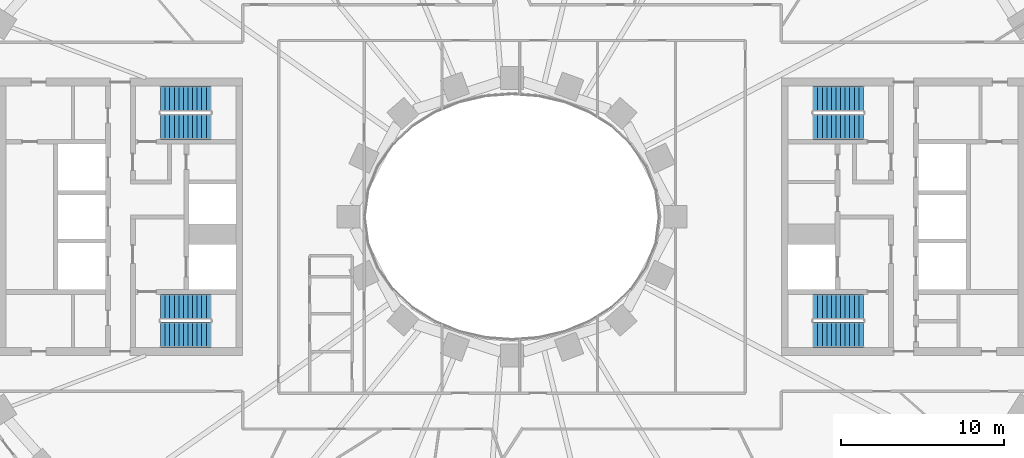
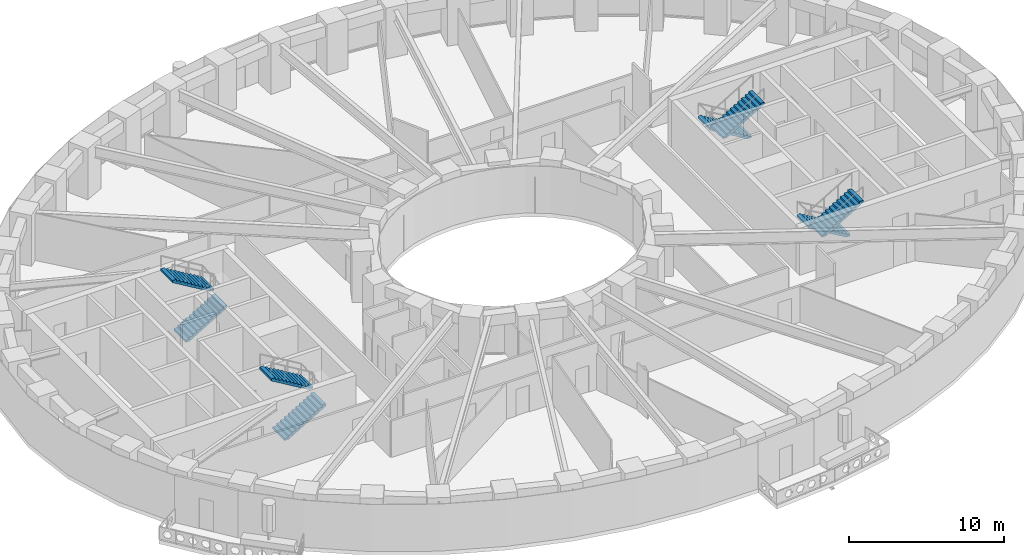
# One storey, part 7 of 16: 8 stair flights, 4 elements without a shape of their own.
"""IFC4 building model written with IfcOpenShell, lengths in metres."""

from ifc_helpers import new_model, si_unit, direction, frame, origin, place, context, subcontext, project, spatial, polyline, outline, extrude, material, type_object, element, aggregate, save


model = new_model("IFC4")

# Units and contexts
model_context = context("Model", 3, precision=1e-05, world=origin(), true_north=direction((0.0, 1.0)))
body_context = subcontext(model_context, "Body", "Model", "MODEL_VIEW")
ifc_project = project(units=[si_unit("LENGTHUNIT", "METRE"), si_unit("AREAUNIT", "SQUARE_METRE"), si_unit("VOLUMEUNIT", "CUBIC_METRE"), si_unit("PLANEANGLEUNIT", "RADIAN"), si_unit("MASSUNIT", "GRAM", prefix="KILO")], contexts=[model_context])

# Site, building, storey
site_placement = place(None, origin())
site = spatial("IfcSite", under=ifc_project, at=site_placement, CompositionType="ELEMENT")
building_placement = place(site_placement, origin())
building = spatial("IfcBuilding", under=site, at=building_placement, Name="Noorbagh Ring Tower", CompositionType="ELEMENT")
storey_placement = place(building_placement, frame((0.0, 0.0, 54.5)))
storey = spatial("IfcBuildingStorey", under=building, at=storey_placement, Name="L11", CompositionType="ELEMENT", Elevation=54.5)

# Stair, stair flights
ifc_material_1 = material(Name="Concrete C40/50", Category="concrete")
stair_type = type_object("IfcStairType", Name="CORE-STAIR", PredefinedType="HALF_TURN_STAIR", material=ifc_material_1)
stair_1_placement = place(storey_placement, origin())
stair_1 = element("IfcStair", 1, at=stair_1_placement, inside=storey, type_object=stair_type, Name="L11 Exit stair ST1", PredefinedType="HALF_TURN_STAIR")
ifc_material_2 = material(Name="Concrete C40/50", Category="concrete")
stair_flight_type = type_object("IfcStairFlightType", Name="CORE-STAIR-FLIGHT", PredefinedType="STRAIGHT", material=ifc_material_2)
stair_flight_1_placement = place(storey_placement, frame((-21.530029296875, 5.52490234375, 0.0), z_axis=(0.0, 0.0, 1.0), x_axis=(1.0, 0.0, 0.0)))
stair_flight_1 = element("IfcStairFlight", 2, at=stair_flight_1_placement, type_object=stair_flight_type, Name="ST1 flight 1", NumberOfRisers=12, NumberOfTreads=11, PredefinedType="STRAIGHT", RiserHeight=0.166666667, TreadLength=0.28, context=body_context, shape_type="SweptSolid", body=[
    extrude(outline(polyline([(0.0, 0.0), (0.0, 0.166748046875), (0.280029296875, 0.166748046875), (0.280029296875, 0.333251953125), (0.56005859375, 0.333251953125), (0.56005859375, 0.5), (0.840087890625, 0.5), (0.840087890625, 0.666748046875), (1.1201171875, 0.666748046875), (1.1201171875, 0.833251953125), (1.39990234375, 0.833251953125), (1.39990234375, 1.0), (1.679931640625, 1.0), (1.679931640625, 1.166748046875), (1.9599609375, 1.166748046875), (1.9599609375, 1.333251953125), (2.239990234375, 1.333251953125), (2.239990234375, 1.5), (2.52001953125, 1.5), (2.52001953125, 1.666748046875), (2.800048828125, 1.666748046875), (2.800048828125, 1.833251953125), (3.080078125, 1.833251953125), (3.080078125, 2.0), (3.080078125, 1.658935546875), (0.29296875, 0.0), (0.0, 0.0)])), frame((0.0, 0.77490234375, 0.0), z_axis=(0.0, -1.0, 0.0), x_axis=(1.0, 0.0, 0.0)), (0.0, 0.0, 1.0), 1.550048828125),
])
stair_flight_2_placement = place(storey_placement, frame((-18.449951171875, 7.22509765625, 2.0), z_axis=(0.0, 0.0, 1.0), x_axis=(-1.0, 0.0, 0.0)))
stair_flight_2 = element("IfcStairFlight", 3, at=stair_flight_2_placement, type_object=stair_flight_type, Name="ST1 flight 2", NumberOfRisers=12, NumberOfTreads=11, PredefinedType="STRAIGHT", RiserHeight=0.166666667, TreadLength=0.28, context=body_context, shape_type="SweptSolid", body=[
    extrude(outline(polyline([(0.0, 0.0), (0.0, 0.166748046875), (0.280029296875, 0.166748046875), (0.280029296875, 0.333251953125), (0.56005859375, 0.333251953125), (0.56005859375, 0.5), (0.840087890625, 0.5), (0.840087890625, 0.666748046875), (1.1201171875, 0.666748046875), (1.1201171875, 0.833251953125), (1.39990234375, 0.833251953125), (1.39990234375, 1.0), (1.679931640625, 1.0), (1.679931640625, 1.166748046875), (1.9599609375, 1.166748046875), (1.9599609375, 1.333251953125), (2.239990234375, 1.333251953125), (2.239990234375, 1.5), (2.52001953125, 1.5), (2.52001953125, 1.666748046875), (2.800048828125, 1.666748046875), (2.800048828125, 1.833251953125), (3.080078125, 1.833251953125), (3.080078125, 2.0), (3.080078125, 1.658935546875), (0.29296875, 0.0), (0.0, 0.0)])), frame((0.0, 0.77490234375, 0.0), z_axis=(0.0, -1.0, 0.0), x_axis=(1.0, 0.0, 0.0)), (0.0, 0.0, 1.0), 1.550048828125),
])
aggregate(stair_1, [stair_flight_1, stair_flight_2])

stair_2_placement = place(storey_placement, origin())
stair_2 = element("IfcStair", 4, at=stair_2_placement, inside=storey, type_object=stair_type, Name="L11 Exit stair ST2", PredefinedType="HALF_TURN_STAIR")
stair_flight_3_placement = place(storey_placement, frame((-21.530029296875, -7.22509765625, 0.0), z_axis=(0.0, 0.0, 1.0), x_axis=(1.0, 0.0, 0.0)))
stair_flight_3 = element("IfcStairFlight", 5, at=stair_flight_3_placement, type_object=stair_flight_type, Name="ST2 flight 1", NumberOfRisers=12, NumberOfTreads=11, PredefinedType="STRAIGHT", RiserHeight=0.166666667, TreadLength=0.28, context=body_context, shape_type="SweptSolid", body=[
    extrude(outline(polyline([(0.0, 0.0), (0.0, 0.166748046875), (0.280029296875, 0.166748046875), (0.280029296875, 0.333251953125), (0.56005859375, 0.333251953125), (0.56005859375, 0.5), (0.840087890625, 0.5), (0.840087890625, 0.666748046875), (1.1201171875, 0.666748046875), (1.1201171875, 0.833251953125), (1.39990234375, 0.833251953125), (1.39990234375, 1.0), (1.679931640625, 1.0), (1.679931640625, 1.166748046875), (1.9599609375, 1.166748046875), (1.9599609375, 1.333251953125), (2.239990234375, 1.333251953125), (2.239990234375, 1.5), (2.52001953125, 1.5), (2.52001953125, 1.666748046875), (2.800048828125, 1.666748046875), (2.800048828125, 1.833251953125), (3.080078125, 1.833251953125), (3.080078125, 2.0), (3.080078125, 1.658935546875), (0.29296875, 0.0), (0.0, 0.0)])), frame((0.0, 0.77490234375, 0.0), z_axis=(0.0, -1.0, 0.0), x_axis=(1.0, 0.0, 0.0)), (0.0, 0.0, 1.0), 1.550048828125),
])
stair_flight_4_placement = place(storey_placement, frame((-18.449951171875, -5.52490234375, 2.0), z_axis=(0.0, 0.0, 1.0), x_axis=(-1.0, 0.0, 0.0)))
stair_flight_4 = element("IfcStairFlight", 6, at=stair_flight_4_placement, type_object=stair_flight_type, Name="ST2 flight 2", NumberOfRisers=12, NumberOfTreads=11, PredefinedType="STRAIGHT", RiserHeight=0.166666667, TreadLength=0.28, context=body_context, shape_type="SweptSolid", body=[
    extrude(outline(polyline([(0.0, 0.0), (0.0, 0.166748046875), (0.280029296875, 0.166748046875), (0.280029296875, 0.333251953125), (0.56005859375, 0.333251953125), (0.56005859375, 0.5), (0.840087890625, 0.5), (0.840087890625, 0.666748046875), (1.1201171875, 0.666748046875), (1.1201171875, 0.833251953125), (1.39990234375, 0.833251953125), (1.39990234375, 1.0), (1.679931640625, 1.0), (1.679931640625, 1.166748046875), (1.9599609375, 1.166748046875), (1.9599609375, 1.333251953125), (2.239990234375, 1.333251953125), (2.239990234375, 1.5), (2.52001953125, 1.5), (2.52001953125, 1.666748046875), (2.800048828125, 1.666748046875), (2.800048828125, 1.833251953125), (3.080078125, 1.833251953125), (3.080078125, 2.0), (3.080078125, 1.658935546875), (0.29296875, 0.0), (0.0, 0.0)])), frame((0.0, 0.77490234375, 0.0), z_axis=(0.0, -1.0, 0.0), x_axis=(1.0, 0.0, 0.0)), (0.0, 0.0, 1.0), 1.550048828125),
])
aggregate(stair_2, [stair_flight_3, stair_flight_4])

stair_3_placement = place(storey_placement, origin())
stair_3 = element("IfcStair", 7, at=stair_3_placement, inside=storey, type_object=stair_type, Name="L11 Exit stair ST3", PredefinedType="HALF_TURN_STAIR")
stair_flight_5_placement = place(storey_placement, frame((21.530029296875, 7.22509765625, 0.0), z_axis=(0.0, 0.0, 1.0), x_axis=(-1.0, 0.0, 0.0)))
stair_flight_5 = element("IfcStairFlight", 8, at=stair_flight_5_placement, type_object=stair_flight_type, Name="ST3 flight 1", NumberOfRisers=12, NumberOfTreads=11, PredefinedType="STRAIGHT", RiserHeight=0.166666667, TreadLength=0.28, context=body_context, shape_type="SweptSolid", body=[
    extrude(outline(polyline([(0.0, 0.0), (0.0, 0.166748046875), (0.280029296875, 0.166748046875), (0.280029296875, 0.333251953125), (0.56005859375, 0.333251953125), (0.56005859375, 0.5), (0.840087890625, 0.5), (0.840087890625, 0.666748046875), (1.1201171875, 0.666748046875), (1.1201171875, 0.833251953125), (1.39990234375, 0.833251953125), (1.39990234375, 1.0), (1.679931640625, 1.0), (1.679931640625, 1.166748046875), (1.9599609375, 1.166748046875), (1.9599609375, 1.333251953125), (2.239990234375, 1.333251953125), (2.239990234375, 1.5), (2.52001953125, 1.5), (2.52001953125, 1.666748046875), (2.800048828125, 1.666748046875), (2.800048828125, 1.833251953125), (3.080078125, 1.833251953125), (3.080078125, 2.0), (3.080078125, 1.658935546875), (0.29296875, 0.0), (0.0, 0.0)])), frame((0.0, 0.77490234375, 0.0), z_axis=(0.0, -1.0, 0.0), x_axis=(1.0, 0.0, 0.0)), (0.0, 0.0, 1.0), 1.550048828125),
])
stair_flight_6_placement = place(storey_placement, frame((18.449951171875, 5.52490234375, 2.0), z_axis=(0.0, 0.0, 1.0), x_axis=(1.0, 0.0, 0.0)))
stair_flight_6 = element("IfcStairFlight", 9, at=stair_flight_6_placement, type_object=stair_flight_type, Name="ST3 flight 2", NumberOfRisers=12, NumberOfTreads=11, PredefinedType="STRAIGHT", RiserHeight=0.166666667, TreadLength=0.28, context=body_context, shape_type="SweptSolid", body=[
    extrude(outline(polyline([(0.0, 0.0), (0.0, 0.166748046875), (0.280029296875, 0.166748046875), (0.280029296875, 0.333251953125), (0.56005859375, 0.333251953125), (0.56005859375, 0.5), (0.840087890625, 0.5), (0.840087890625, 0.666748046875), (1.1201171875, 0.666748046875), (1.1201171875, 0.833251953125), (1.39990234375, 0.833251953125), (1.39990234375, 1.0), (1.679931640625, 1.0), (1.679931640625, 1.166748046875), (1.9599609375, 1.166748046875), (1.9599609375, 1.333251953125), (2.239990234375, 1.333251953125), (2.239990234375, 1.5), (2.52001953125, 1.5), (2.52001953125, 1.666748046875), (2.800048828125, 1.666748046875), (2.800048828125, 1.833251953125), (3.080078125, 1.833251953125), (3.080078125, 2.0), (3.080078125, 1.658935546875), (0.29296875, 0.0), (0.0, 0.0)])), frame((0.0, 0.77490234375, 0.0), z_axis=(0.0, -1.0, 0.0), x_axis=(1.0, 0.0, 0.0)), (0.0, 0.0, 1.0), 1.550048828125),
])
aggregate(stair_3, [stair_flight_5, stair_flight_6])

stair_4_placement = place(storey_placement, origin())
stair_4 = element("IfcStair", 10, at=stair_4_placement, inside=storey, type_object=stair_type, Name="L11 Exit stair ST4", PredefinedType="HALF_TURN_STAIR")
stair_flight_7_placement = place(storey_placement, frame((21.530029296875, -5.52490234375, 0.0), z_axis=(0.0, 0.0, 1.0), x_axis=(-1.0, 0.0, 0.0)))
stair_flight_7 = element("IfcStairFlight", 11, at=stair_flight_7_placement, type_object=stair_flight_type, Name="ST4 flight 1", NumberOfRisers=12, NumberOfTreads=11, PredefinedType="STRAIGHT", RiserHeight=0.166666667, TreadLength=0.28, context=body_context, shape_type="SweptSolid", body=[
    extrude(outline(polyline([(0.0, 0.0), (0.0, 0.166748046875), (0.280029296875, 0.166748046875), (0.280029296875, 0.333251953125), (0.56005859375, 0.333251953125), (0.56005859375, 0.5), (0.840087890625, 0.5), (0.840087890625, 0.666748046875), (1.1201171875, 0.666748046875), (1.1201171875, 0.833251953125), (1.39990234375, 0.833251953125), (1.39990234375, 1.0), (1.679931640625, 1.0), (1.679931640625, 1.166748046875), (1.9599609375, 1.166748046875), (1.9599609375, 1.333251953125), (2.239990234375, 1.333251953125), (2.239990234375, 1.5), (2.52001953125, 1.5), (2.52001953125, 1.666748046875), (2.800048828125, 1.666748046875), (2.800048828125, 1.833251953125), (3.080078125, 1.833251953125), (3.080078125, 2.0), (3.080078125, 1.658935546875), (0.29296875, 0.0), (0.0, 0.0)])), frame((0.0, 0.77490234375, 0.0), z_axis=(0.0, -1.0, 0.0), x_axis=(1.0, 0.0, 0.0)), (0.0, 0.0, 1.0), 1.550048828125),
])
stair_flight_8_placement = place(storey_placement, frame((18.449951171875, -7.22509765625, 2.0), z_axis=(0.0, 0.0, 1.0), x_axis=(1.0, 0.0, 0.0)))
stair_flight_8 = element("IfcStairFlight", 12, at=stair_flight_8_placement, type_object=stair_flight_type, Name="ST4 flight 2", NumberOfRisers=12, NumberOfTreads=11, PredefinedType="STRAIGHT", RiserHeight=0.166666667, TreadLength=0.28, context=body_context, shape_type="SweptSolid", body=[
    extrude(outline(polyline([(0.0, 0.0), (0.0, 0.166748046875), (0.280029296875, 0.166748046875), (0.280029296875, 0.333251953125), (0.56005859375, 0.333251953125), (0.56005859375, 0.5), (0.840087890625, 0.5), (0.840087890625, 0.666748046875), (1.1201171875, 0.666748046875), (1.1201171875, 0.833251953125), (1.39990234375, 0.833251953125), (1.39990234375, 1.0), (1.679931640625, 1.0), (1.679931640625, 1.166748046875), (1.9599609375, 1.166748046875), (1.9599609375, 1.333251953125), (2.239990234375, 1.333251953125), (2.239990234375, 1.5), (2.52001953125, 1.5), (2.52001953125, 1.666748046875), (2.800048828125, 1.666748046875), (2.800048828125, 1.833251953125), (3.080078125, 1.833251953125), (3.080078125, 2.0), (3.080078125, 1.658935546875), (0.29296875, 0.0), (0.0, 0.0)])), frame((0.0, 0.77490234375, 0.0), z_axis=(0.0, -1.0, 0.0), x_axis=(1.0, 0.0, 0.0)), (0.0, 0.0, 1.0), 1.550048828125),
])
aggregate(stair_4, [stair_flight_7, stair_flight_8])

save(model, "model.ifc")
